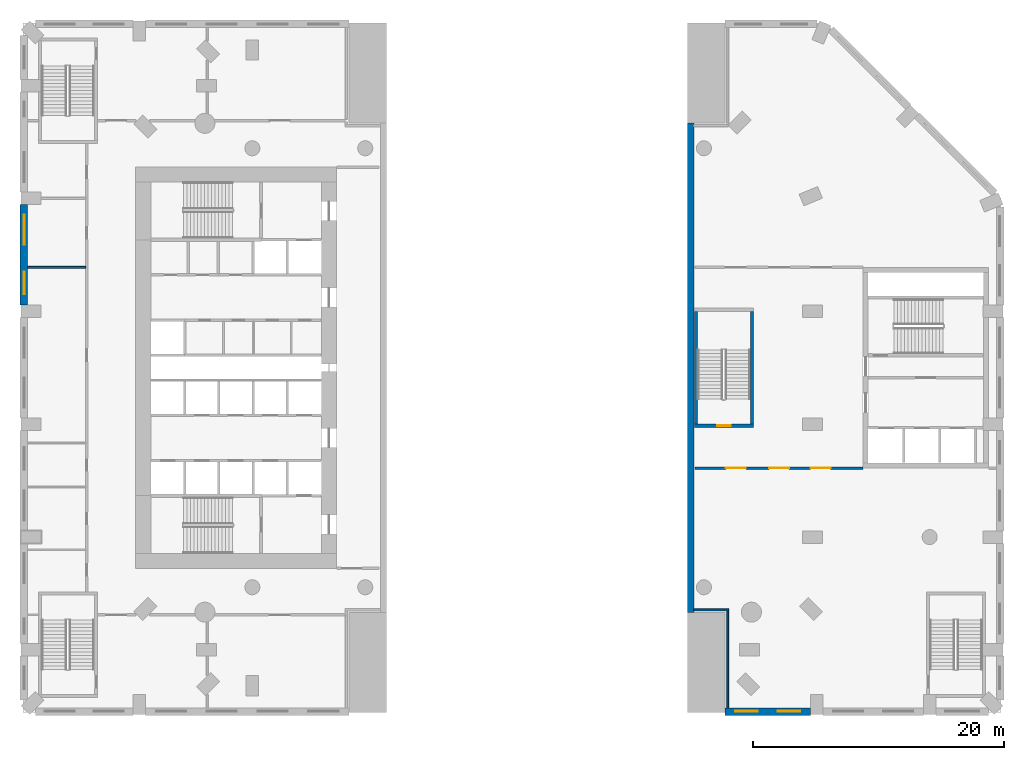
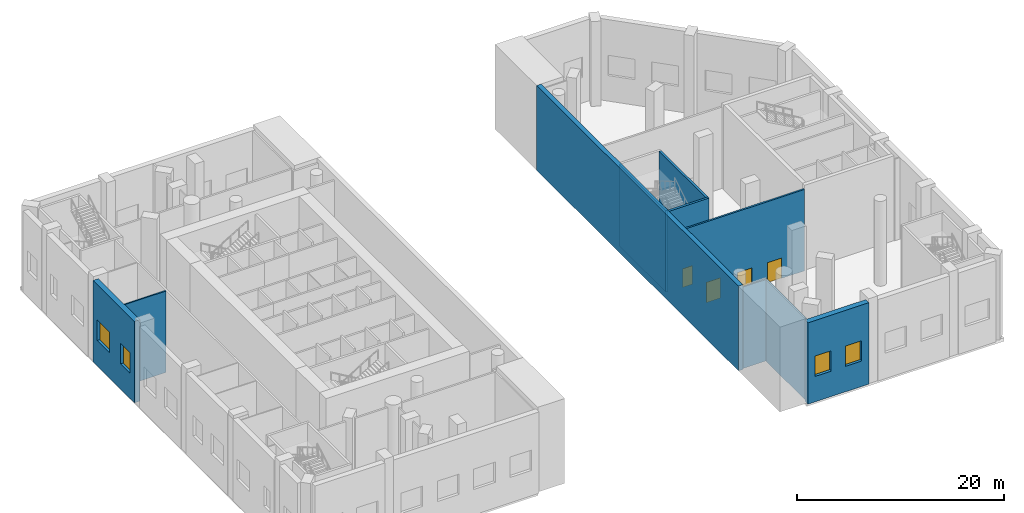
# One storey, part 5 of 16: 10 walls, 4 doors, 4 windows, 8 openings.
"""IFC4 building model written with IfcOpenShell, lengths in metres."""

from ifc_helpers import new_model, si_unit, direction, frame, frame_2d, origin, place, context, subcontext, project, spatial, rectangle, extrude, material, layer, layer_set, type_object, element, fill, save


model = new_model("IFC4")

# Units and contexts
model_context = context("Model", 3, precision=1e-05, world=origin(), true_north=direction((0.0, 1.0)))
body_context = subcontext(model_context, "Body", "Model", "MODEL_VIEW")
ifc_project = project(units=[si_unit("LENGTHUNIT", "METRE"), si_unit("AREAUNIT", "SQUARE_METRE"), si_unit("VOLUMEUNIT", "CUBIC_METRE"), si_unit("PLANEANGLEUNIT", "RADIAN"), si_unit("MASSUNIT", "GRAM", prefix="KILO")], contexts=[model_context])

# Site, building, storey
site_placement = place(None, origin())
site = spatial("IfcSite", under=ifc_project, at=site_placement, CompositionType="ELEMENT")
building_placement = place(site_placement, origin())
building = spatial("IfcBuilding", under=site, at=building_placement, Name="Cypress Arch Tower", CompositionType="ELEMENT")
storey_placement = place(building_placement, frame((0.0, 0.0, 9.0)))
storey = spatial("IfcBuildingStorey", under=building, at=storey_placement, Name="L01", CompositionType="ELEMENT", Elevation=9.0)

# Wall, openings, windows
ifc_material_1 = material(Name="Brick (red buff blend) on blockwork backing", Category="masonry")
ifc_layer_1 = layer(ifc_material_1, 0.60009765625)
ifc_layer_set_1 = layer_set([ifc_layer_1], Name="Brick base wall BW600")
wall_type_1 = type_object("IfcWallType", Name="Brick base wall BW600", PredefinedType="ELEMENTEDWALL", material=ifc_layer_set_1)
wall_1_placement = place(storey_placement, frame((17.0, -27.425048828125, 0.0), z_axis=(0.0, 0.0, 1.0), x_axis=(1.0, 0.0, 0.0)))
wall_1 = element("IfcWall", 1, at=wall_1_placement, inside=storey, type_object=wall_type_1, Name="Brick wall L01 P00.1p1", PredefinedType="ELEMENTEDWALL", context=body_context, shape_type="SweptSolid", body=[
    extrude(rectangle(XDim=6.800048828125, YDim=0.60009765625, at=frame_2d((3.39990234375, 0.0))), origin(), (0.0, 0.0, 1.0), 9.60009765625),
])
opening_1_placement = place(wall_1_placement, frame((0.800048828125, 0.0, 3.0)))
opening_1 = element("IfcOpeningElement", 2, at=opening_1_placement, cuts=wall_1, Name="Opening W180P", PredefinedType="OPENING", context=body_context, shape_type="SweptSolid", body=[
    extrude(rectangle(XDim=1.800048828125, YDim=2.39990234375, at=frame_2d((0.89990234375, 1.199951171875))), frame((0.0, 0.31005859375, 0.0), z_axis=(0.0, -1.0, 0.0), x_axis=(1.0, 0.0, 0.0)), (0.0, 0.0, 1.0), 0.6201171875),
])
opening_2_placement = place(wall_1_placement, frame((4.199951171875, 0.0, 3.0)))
opening_2 = element("IfcOpeningElement", 3, at=opening_2_placement, cuts=wall_1, Name="Opening W180P", PredefinedType="OPENING", context=body_context, shape_type="SweptSolid", body=[
    extrude(rectangle(XDim=1.800048828125, YDim=2.39990234375, at=frame_2d((0.89990234375, 1.199951171875))), frame((0.0, 0.31005859375, 0.0), z_axis=(0.0, -1.0, 0.0), x_axis=(1.0, 0.0, 0.0)), (0.0, 0.0, 1.0), 0.6201171875),
])
ifc_material_2 = material(Name="Anodised aluminium, bronze finish, clear low-emissivity double glazing", Category="aluminium")
window_type_1 = type_object("IfcWindowType", Name="Window Podium 1800x2400", PartitioningType="SINGLE_PANEL", PredefinedType="WINDOW", material=ifc_material_2)
window_1_placement = place(opening_1_placement, origin())
window_1 = element("IfcWindow", 4, at=window_1_placement, inside=storey, type_object=window_type_1, Name="Window L01 P00.1p1.1", OverallHeight=2.39990234375, OverallWidth=1.800048828125, PartitioningType="SINGLE_PANEL", PredefinedType="WINDOW", context=body_context, shape_type="SweptSolid", body=[
    extrude(rectangle(XDim=1.800048828125, YDim=2.39990234375, at=frame_2d((0.89990234375, 1.199951171875))), frame((0.0, 0.06005859375, 0.0), z_axis=(0.0, -1.0, 0.0), x_axis=(1.0, 0.0, 0.0)), (0.0, 0.0, 1.0), 0.06005859375),
])
fill(opening_1, window_1)
window_2_placement = place(opening_2_placement, origin())
window_2 = element("IfcWindow", 5, at=window_2_placement, inside=storey, type_object=window_type_1, Name="Window L01 P00.1p1.2", OverallHeight=2.39990234375, OverallWidth=1.800048828125, PartitioningType="SINGLE_PANEL", PredefinedType="WINDOW", context=body_context, shape_type="SweptSolid", body=[
    extrude(rectangle(XDim=1.800048828125, YDim=2.39990234375, at=frame_2d((0.89990234375, 1.199951171875))), frame((0.0, 0.06005859375, 0.0), z_axis=(0.0, -1.0, 0.0), x_axis=(1.0, 0.0, 0.0)), (0.0, 0.0, 1.0), 0.06005859375),
])
fill(opening_2, window_2)

wall_2_placement = place(storey_placement, frame((-38.925048828125, 13.0, 0.0), z_axis=(0.0, 0.0, 1.0), x_axis=(0.0, -1.0, 0.0)))
wall_2 = element("IfcWall", 6, at=wall_2_placement, inside=storey, type_object=wall_type_1, Name="Brick wall L01 P04.2", PredefinedType="ELEMENTEDWALL", context=body_context, shape_type="SweptSolid", body=[
    extrude(rectangle(XDim=8.0, YDim=0.60009765625, at=frame_2d((4.0, 0.0))), origin(), (0.0, 0.0, 1.0), 9.60009765625),
])
opening_3_placement = place(wall_2_placement, frame((0.800048828125, 0.0, 3.0)))
opening_3 = element("IfcOpeningElement", 7, at=opening_3_placement, cuts=wall_2, Name="Opening W240P", PredefinedType="OPENING", context=body_context, shape_type="SweptSolid", body=[
    extrude(rectangle(XDim=2.39990234375, YDim=2.39990234375, at=frame_2d((1.199951171875, 1.199951171875))), frame((0.0, 0.31005859375, 0.0), z_axis=(0.0, -1.0, 0.0), x_axis=(1.0, 0.0, 0.0)), (0.0, 0.0, 1.0), 0.6201171875),
])
opening_4_placement = place(wall_2_placement, frame((5.35009765625, 0.0, 3.0)))
opening_4 = element("IfcOpeningElement", 8, at=opening_4_placement, cuts=wall_2, Name="Opening W180P", PredefinedType="OPENING", context=body_context, shape_type="SweptSolid", body=[
    extrude(rectangle(XDim=1.800048828125, YDim=2.39990234375, at=frame_2d((0.89990234375, 1.199951171875))), frame((0.0, 0.31005859375, 0.0), z_axis=(0.0, -1.0, 0.0), x_axis=(1.0, 0.0, 0.0)), (0.0, 0.0, 1.0), 0.6201171875),
])
window_3_placement = place(opening_4_placement, origin())
window_3 = element("IfcWindow", 9, at=window_3_placement, inside=storey, type_object=window_type_1, Name="Window L01 P04.2.2", OverallHeight=2.39990234375, OverallWidth=1.800048828125, PartitioningType="SINGLE_PANEL", PredefinedType="WINDOW", context=body_context, shape_type="SweptSolid", body=[
    extrude(rectangle(XDim=1.800048828125, YDim=2.39990234375, at=frame_2d((0.89990234375, 1.199951171875))), frame((0.0, 0.06005859375, 0.0), z_axis=(0.0, -1.0, 0.0), x_axis=(1.0, 0.0, 0.0)), (0.0, 0.0, 1.0), 0.06005859375),
])
fill(opening_4, window_3)
ifc_material_3 = material(Name="Anodised aluminium, bronze finish, clear low-emissivity double glazing", Category="aluminium")
window_type_2 = type_object("IfcWindowType", Name="Window Podium 2400x2400", PartitioningType="SINGLE_PANEL", PredefinedType="WINDOW", material=ifc_material_3)
window_4_placement = place(opening_3_placement, origin())
window_4 = element("IfcWindow", 10, at=window_4_placement, inside=storey, type_object=window_type_2, Name="Window L01 P04.2.1", OverallHeight=2.39990234375, OverallWidth=2.39990234375, PartitioningType="SINGLE_PANEL", PredefinedType="WINDOW", context=body_context, shape_type="SweptSolid", body=[
    extrude(rectangle(XDim=2.39990234375, YDim=2.39990234375, at=frame_2d((1.199951171875, 1.199951171875))), frame((0.0, 0.06005859375, 0.0), z_axis=(0.0, -1.0, 0.0), x_axis=(1.0, 0.0, 0.0)), (0.0, 0.0, 1.0), 0.06005859375),
])
fill(opening_3, window_4)

# Wall, openings, doors
ifc_material_4 = material(Name="Concrete blockwork, plastered, rated", Category="masonry")
ifc_layer_2 = layer(ifc_material_4, 0.199951171875)
ifc_layer_set_2 = layer_set([ifc_layer_2], Name="Corridor wall FW200")
wall_type_2 = type_object("IfcWallType", Name="Corridor wall FW200", PredefinedType="PARTITIONING", material=ifc_layer_set_2)
wall_3_placement = place(storey_placement, frame((14.60009765625, -8.0, 0.0), z_axis=(0.0, 0.0, 1.0), x_axis=(1.0, 0.0, 0.0)))
wall_3 = element("IfcWall", 11, at=wall_3_placement, inside=storey, type_object=wall_type_2, Name="Corridor wall", PredefinedType="PARTITIONING", context=body_context, shape_type="SweptSolid", body=[
    extrude(rectangle(XDim=13.369873046875, YDim=0.199951171875, at=frame_2d((6.68505859375, 0.0))), origin(), (0.0, 0.0, 1.0), 9.597900390625),
])
opening_5_placement = place(wall_3_placement, frame((5.89990234375, 0.0, 0.0)))
opening_5 = element("IfcOpeningElement", 12, at=opening_5_placement, cuts=wall_3, Name="Opening D10", PredefinedType="OPENING", context=body_context, shape_type="SweptSolid", body=[
    extrude(rectangle(XDim=1.60009765625, YDim=2.39990234375, at=frame_2d((0.800048828125, 1.199951171875))), frame((0.0, 0.10986328125, 0.0), z_axis=(0.0, -1.0, 0.0), x_axis=(1.0, 0.0, 0.0)), (0.0, 0.0, 1.0), 0.219970703125),
])
opening_6_placement = place(wall_3_placement, frame((9.199951171875, 0.0, 0.0)))
opening_6 = element("IfcOpeningElement", 13, at=opening_6_placement, cuts=wall_3, Name="Opening D10", PredefinedType="OPENING", context=body_context, shape_type="SweptSolid", body=[
    extrude(rectangle(XDim=1.60009765625, YDim=2.39990234375, at=frame_2d((0.800048828125, 1.199951171875))), frame((0.0, 0.10986328125, 0.0), z_axis=(0.0, -1.0, 0.0), x_axis=(1.0, 0.0, 0.0)), (0.0, 0.0, 1.0), 0.219970703125),
])
opening_7_placement = place(wall_3_placement, frame((2.449951171875, 0.0, 0.0)))
opening_7 = element("IfcOpeningElement", 14, at=opening_7_placement, cuts=wall_3, Name="Opening D10", PredefinedType="OPENING", context=body_context, shape_type="SweptSolid", body=[
    extrude(rectangle(XDim=1.60009765625, YDim=2.39990234375, at=frame_2d((0.800048828125, 1.199951171875))), frame((0.0, 0.10986328125, 0.0), z_axis=(0.0, -1.0, 0.0), x_axis=(1.0, 0.0, 0.0)), (0.0, 0.0, 1.0), 0.219970703125),
])
ifc_material_5 = material(Name="Black aluminium glazed door", Category="aluminium")
door_type_1 = type_object("IfcDoorType", Name="Amenity door D10 1600x2400", OperationType="DOUBLE_DOOR_SINGLE_SWING", PredefinedType="DOOR", material=ifc_material_5)
door_1_placement = place(opening_5_placement, origin())
door_1 = element("IfcDoor", 15, at=door_1_placement, inside=storey, type_object=door_type_1, Name="Amenity door", OperationType="DOUBLE_DOOR_SINGLE_SWING", OverallHeight=2.39990234375, OverallWidth=1.60009765625, PredefinedType="DOOR", context=body_context, shape_type="SweptSolid", body=[
    extrude(rectangle(XDim=1.60009765625, YDim=2.39990234375, at=frame_2d((0.800048828125, 1.199951171875))), frame((0.0, 0.02490234375, 0.0), z_axis=(0.0, -1.0, 0.0), x_axis=(1.0, 0.0, 0.0)), (0.0, 0.0, 1.0), 0.050048828125),
])
fill(opening_5, door_1)
door_2_placement = place(opening_6_placement, origin())
door_2 = element("IfcDoor", 16, at=door_2_placement, inside=storey, type_object=door_type_1, Name="Amenity door", OperationType="DOUBLE_DOOR_SINGLE_SWING", OverallHeight=2.39990234375, OverallWidth=1.60009765625, PredefinedType="DOOR", context=body_context, shape_type="SweptSolid", body=[
    extrude(rectangle(XDim=1.60009765625, YDim=2.39990234375, at=frame_2d((0.800048828125, 1.199951171875))), frame((0.0, 0.02490234375, 0.0), z_axis=(0.0, -1.0, 0.0), x_axis=(1.0, 0.0, 0.0)), (0.0, 0.0, 1.0), 0.050048828125),
])
fill(opening_6, door_2)
door_3_placement = place(opening_7_placement, origin())
door_3 = element("IfcDoor", 17, at=door_3_placement, inside=storey, type_object=door_type_1, Name="Amenity door", OperationType="DOUBLE_DOOR_SINGLE_SWING", OverallHeight=2.39990234375, OverallWidth=1.60009765625, PredefinedType="DOOR", context=body_context, shape_type="SweptSolid", body=[
    extrude(rectangle(XDim=1.60009765625, YDim=2.39990234375, at=frame_2d((0.800048828125, 1.199951171875))), frame((0.0, 0.02490234375, 0.0), z_axis=(0.0, -1.0, 0.0), x_axis=(1.0, 0.0, 0.0)), (0.0, 0.0, 1.0), 0.050048828125),
])
fill(opening_7, door_3)

# Walls
ifc_material_6 = material(Name="Blockwork, plastered both sides", Category="masonry")
ifc_layer_3 = layer(ifc_material_6, 0.14990234375)
ifc_layer_set_3 = layer_set([ifc_layer_3], Name="Partition PW150")
wall_type_3 = type_object("IfcWallType", Name="Partition PW150", PredefinedType="PARTITIONING", material=ifc_layer_set_3)
wall_4_placement = place(storey_placement, frame((-38.625, 8.0, 0.0), z_axis=(0.0, 0.0, 1.0), x_axis=(1.0, 0.0, 0.0)))
element("IfcWall", 18, at=wall_4_placement, inside=storey, type_object=wall_type_3, Name="Partition", PredefinedType="PARTITIONING", context=body_context, shape_type="SweptSolid", body=[
    extrude(rectangle(XDim=4.625, YDim=0.14990234375, at=frame_2d((2.3125, 0.0))), origin(), (0.0, 0.0, 1.0), 9.597900390625),
])
wall_5_placement = place(storey_placement, frame((14.5, -19.300048828125, 0.0), z_axis=(0.0, 0.0, 1.0), x_axis=(1.0, 0.0, 0.0)))
element("IfcWall", 19, at=wall_5_placement, inside=storey, type_object=wall_type_3, Name="Partition", PredefinedType="PARTITIONING", context=body_context, shape_type="SweptSolid", body=[
    extrude(rectangle(XDim=2.77490234375, YDim=0.14990234375, at=frame_2d((1.387451171875, 0.0))), origin(), (0.0, 0.0, 1.0), 9.597900390625),
])
wall_6_placement = place(storey_placement, frame((17.199951171875, -27.125, 0.0), z_axis=(0.0, 0.0, 1.0), x_axis=(0.0, 1.0, 0.0)))
element("IfcWall", 20, at=wall_6_placement, inside=storey, type_object=wall_type_3, Name="Partition", PredefinedType="PARTITIONING", context=body_context, shape_type="SweptSolid", body=[
    extrude(rectangle(XDim=7.75, YDim=0.14990234375, at=frame_2d((3.875, 0.0))), origin(), (0.0, 0.0, 1.0), 9.597900390625),
])
ifc_material_7 = material(Name="Concrete C60/75", Category="concrete")
ifc_layer_4 = layer(ifc_material_7, 0.5)
ifc_layer_set_4 = layer_set([ifc_layer_4], Name="Passage wall 500 Concrete C60/75")
wall_type_4 = type_object("IfcWallType", Name="Passage wall 500 Concrete C60/75", PredefinedType="SOLIDWALL", material=ifc_layer_set_4)
wall_7_placement = place(storey_placement, frame((14.25, -19.5, 0.0), z_axis=(0.0, 0.0, 1.0), x_axis=(0.0, 1.0, 0.0)))
element("IfcWall", 21, at=wall_7_placement, inside=storey, type_object=wall_type_4, Name="Gate passage wall E L01", PredefinedType="SOLIDWALL", context=body_context, shape_type="SweptSolid", body=[
    extrude(rectangle(XDim=39.0, YDim=0.5, at=frame_2d((19.5, 0.0))), origin(), (0.0, 0.0, 1.0), 10.0),
])
ifc_material_8 = material(Name="Concrete C50/60", Category="concrete")
ifc_layer_5 = layer(ifc_material_8, 0.25)
ifc_layer_set_5 = layer_set([ifc_layer_5], Name="Stair enclosure wall SW250")
wall_type_5 = type_object("IfcWallType", Name="Stair enclosure wall SW250", PredefinedType="SHEAR", material=ifc_layer_set_5)
wall_8_placement = place(storey_placement, frame((14.675048828125, -4.5, 0.0), z_axis=(0.0, 0.0, 1.0), x_axis=(0.0, 1.0, 0.0)))
element("IfcWall", 22, at=wall_8_placement, inside=storey, type_object=wall_type_5, Name="Stair enclosure wall", PredefinedType="SHEAR", context=body_context, shape_type="SweptSolid", body=[
    extrude(rectangle(XDim=9.0, YDim=0.25, at=frame_2d((4.5, 0.0))), origin(), (0.0, 0.0, 1.0), 9.60009765625),
])

# Wall, opening, door
wall_9_placement = place(storey_placement, frame((14.550048828125, -4.625, 0.0), z_axis=(0.0, 0.0, 1.0), x_axis=(1.0, 0.0, 0.0)))
wall_9 = element("IfcWall", 23, at=wall_9_placement, inside=storey, type_object=wall_type_5, Name="Stair enclosure wall", PredefinedType="SHEAR", context=body_context, shape_type="SweptSolid", body=[
    extrude(rectangle(XDim=4.699951171875, YDim=0.25, at=frame_2d((2.35009765625, 0.0))), origin(), (0.0, 0.0, 1.0), 9.60009765625),
])
opening_8_placement = place(wall_9_placement, frame((1.800048828125, 0.0, 0.0)))
opening_8 = element("IfcOpeningElement", 24, at=opening_8_placement, cuts=wall_9, Name="Opening D06", PredefinedType="OPENING", context=body_context, shape_type="SweptSolid", body=[
    extrude(rectangle(XDim=1.10009765625, YDim=2.199951171875, at=frame_2d((0.550048828125, 1.10009765625))), frame((0.0, 0.135009765625, 0.0), z_axis=(0.0, -1.0, 0.0), x_axis=(1.0, 0.0, 0.0)), (0.0, 0.0, 1.0), 0.27001953125),
])
ifc_material_9 = material(Name="Steel door, fire resisting, panic bar", Category="steel")
door_type_2 = type_object("IfcDoorType", Name="Stair door D06 1100x2200", OperationType="SINGLE_SWING_LEFT", PredefinedType="DOOR", material=ifc_material_9)
door_4_placement = place(opening_8_placement, origin())
door_4 = element("IfcDoor", 25, at=door_4_placement, inside=storey, type_object=door_type_2, Name="Stair door", OperationType="SINGLE_SWING_RIGHT", OverallHeight=2.199951171875, OverallWidth=1.10009765625, PredefinedType="DOOR", context=body_context, shape_type="SweptSolid", body=[
    extrude(rectangle(XDim=1.10009765625, YDim=2.199951171875, at=frame_2d((0.550048828125, 1.10009765625))), frame((0.0, 0.02490234375, 0.0), z_axis=(0.0, -1.0, 0.0), x_axis=(1.0, 0.0, 0.0)), (0.0, 0.0, 1.0), 0.050048828125),
])
fill(opening_8, door_4)

# Wall
wall_10_placement = place(storey_placement, frame((19.125, -4.5, 0.0), z_axis=(0.0, 0.0, 1.0), x_axis=(0.0, 1.0, 0.0)))
element("IfcWall", 26, at=wall_10_placement, inside=storey, type_object=wall_type_5, Name="Stair enclosure wall", PredefinedType="SHEAR", context=body_context, shape_type="SweptSolid", body=[
    extrude(rectangle(XDim=9.0, YDim=0.25, at=frame_2d((4.5, 0.0))), origin(), (0.0, 0.0, 1.0), 9.60009765625),
])

save(model, "model.ifc")
